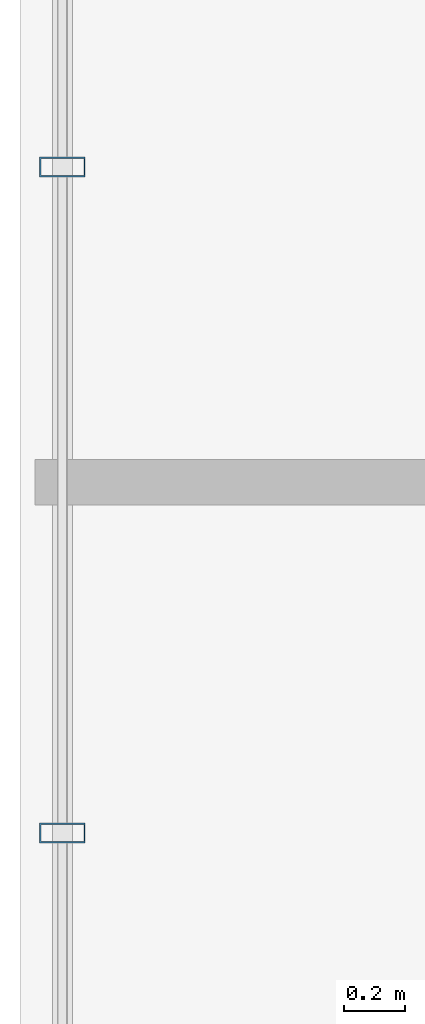
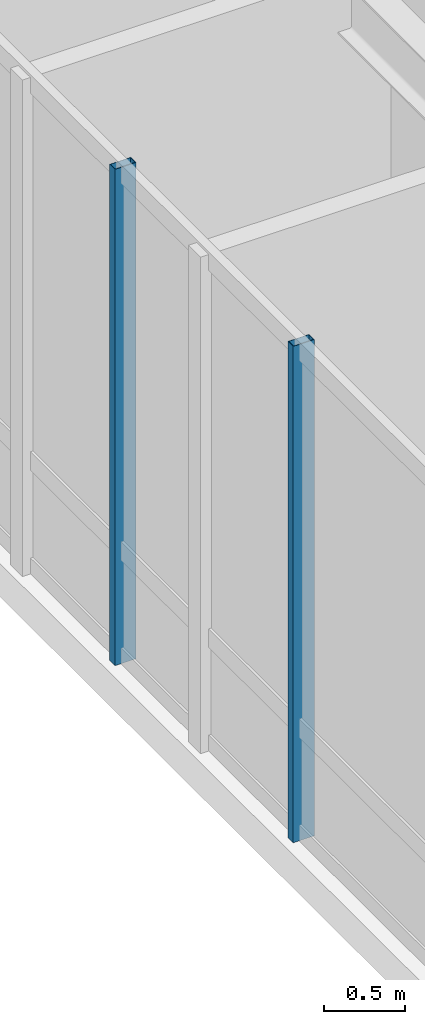
# One storey, part 11 of 29: 2 members, 1 element without a shape of its own.
"""IFC4 building model written with IfcOpenShell, lengths in metres."""

import ifcopenshell
import ifcopenshell.guid

model = None  # the IFC model being written
_history = None  # IfcOwnerHistory: only IFC2X3 demands one
_inside = {}  # id of a spatial element -> (the spatial element, [elements in it])
_under = {}  # id of a project, library or spatial element -> (it, [spatial elements below it])
_declared = {}  # id of a project -> (the project, [libraries it declares])
_typed = {}  # id of a type object -> (the type object, [elements of that type])
_made_of = {}  # id of a material, layer set ... -> (it, [elements and type objects made of it])


def new_model(schema):
    """Start an empty IFC model of exactly this schema.

    Asked for "IFC4X3", IfcOpenShell would pick the latest addendum, in which some entities
    have other attributes; the version numbers below select the first issue.
    IFC2X3 requires an IfcOwnerHistory on every rooted entity: one is made here for all.
    """
    global model, _history
    if schema == "IFC4X3":
        model = ifcopenshell.file(schema_version=(4, 3, 0, 0))
    else:
        model = ifcopenshell.file(schema=schema)
    _inside.clear()
    _under.clear()
    _declared.clear()
    _typed.clear()
    _made_of.clear()
    _history = None
    if model.schema == "IFC2X3":
        org = make("IfcOrganization", Name="unknown")
        user = make(
            "IfcPersonAndOrganization",
            ThePerson=make("IfcPerson", FamilyName="unknown"),
            TheOrganization=org,
        )
        app = make(
            "IfcApplication",
            ApplicationDeveloper=org,
            Version="unknown",
            ApplicationFullName="unknown",
            ApplicationIdentifier="unknown",
        )
        _history = make(
            "IfcOwnerHistory",
            OwningUser=user,
            OwningApplication=app,
            ChangeAction="ADDED",
            CreationDate=0,
        )
    return model


def make(cls, **values):
    """One entity of the class cls with the attributes given. An attribute that is None is left unset."""
    return model.create_entity(
        cls, **{name: value for name, value in values.items() if value is not None}
    )


def rooted(cls, **values):
    """An entity with a GlobalId (a new one), such as an element, a storey or a relation."""
    return make(cls, GlobalId=ifcopenshell.guid.new(), OwnerHistory=_history, **values)


def si_unit(unit_type, name, prefix=None):
    """IfcSIUnit, for example si_unit("LENGTHUNIT", "METRE", prefix="MILLI")."""
    return make("IfcSIUnit", UnitType=unit_type, Prefix=prefix, Name=name)


def assignment(units):
    """IfcUnitAssignment: the units of a project."""
    return None if units is None else make("IfcUnitAssignment", Units=units)


def point(xyz):
    """IfcCartesianPoint."""
    return None if xyz is None else make("IfcCartesianPoint", Coordinates=xyz)


def direction(xyz):
    """IfcDirection."""
    return None if xyz is None else make("IfcDirection", DirectionRatios=xyz)


def frame(location, z_axis=None, x_axis=None):
    """IfcAxis2Placement3D, a coordinate frame: its origin and axes. An axis left out is left unset."""
    return make(
        "IfcAxis2Placement3D",
        Location=point(location),
        Axis=direction(z_axis),
        RefDirection=direction(x_axis),
    )


def frame_2d(location, x_axis=None):
    """IfcAxis2Placement2D, a coordinate frame in the plane: its origin and x axis."""
    return make(
        "IfcAxis2Placement2D", Location=point(location), RefDirection=direction(x_axis)
    )


def origin():
    """The frame at (0, 0, 0) with its axes left unset."""
    return frame((0.0, 0.0, 0.0))


def origin_2d():
    """The frame at (0, 0) in the plane with its x axis left unset."""
    return frame_2d((0.0, 0.0))


def place(relative_to, where):
    """IfcLocalPlacement: puts the frame where relative to a parent placement (None: the world)."""
    return make(
        "IfcLocalPlacement", PlacementRelTo=relative_to, RelativePlacement=where
    )


def context(
    kind, dimensions, precision=None, world=None, true_north=None, identifier=None
):
    """IfcGeometricRepresentationContext, for example the 3D "Model" context."""
    return make(
        "IfcGeometricRepresentationContext",
        ContextIdentifier=identifier,
        ContextType=kind,
        CoordinateSpaceDimension=dimensions,
        Precision=precision,
        WorldCoordinateSystem=world,
        TrueNorth=true_north,
    )


def subcontext(parent, identifier, kind, view, scale=None):
    """IfcGeometricRepresentationSubContext, for example "Body" below "Model"."""
    return make(
        "IfcGeometricRepresentationSubContext",
        ContextIdentifier=identifier,
        ContextType=kind,
        ParentContext=parent,
        TargetScale=scale,
        TargetView=view,
    )


def project(units=None, contexts=None):
    """IfcProject with its units and contexts."""
    return rooted(
        "IfcProject",
        Name="project",
        RepresentationContexts=contexts,
        UnitsInContext=assignment(units),
    )


def spatial(cls, under=None, at=None, **own):
    """A site, building, storey or space (cls), placed at a placement, below another one or the project."""
    s = rooted(cls, ObjectPlacement=at, **own)
    if under is not None:
        _under.setdefault(under.id(), (under, []))[1].append(s)
    return s


def profile(cls, at=None, kind="AREA", **sizes):
    """A parametric profile (cls). Its sizes go by their IFC names, for example OverallWidth=200.0."""
    return make(cls, ProfileType=kind, Position=at, **sizes)


def hollow_rectangle(**sizes):
    """IfcRectangleHollowProfileDef."""
    return profile("IfcRectangleHollowProfileDef", **sizes)


def extrude(swept, where, along, depth):
    """IfcExtrudedAreaSolid: the profile swept, set in the frame where, extruded along a direction by depth."""
    return make(
        "IfcExtrudedAreaSolid",
        SweptArea=swept,
        Position=where,
        ExtrudedDirection=direction(along),
        Depth=depth,
    )


def shape(context_of_items, identifier, shape_type, items):
    """IfcShapeRepresentation: the items that make up one representation, for example the "Body"."""
    return make(
        "IfcShapeRepresentation",
        ContextOfItems=context_of_items,
        RepresentationIdentifier=identifier,
        RepresentationType=shape_type,
        Items=items,
    )


def material(Name=None, Category=None):
    """IfcMaterial."""
    return make("IfcMaterial", Name=Name, Category=Category)


def layer(
    of_material, thickness, ventilated=None, Name=None, Category=None, Priority=None
):
    """IfcMaterialLayer: one layer of a wall or slab, of a material (None: an air gap)."""
    return make(
        "IfcMaterialLayer",
        Material=of_material,
        LayerThickness=thickness,
        IsVentilated=ventilated,
        Name=Name,
        Category=Category,
        Priority=Priority,
    )


def layer_set(layers, Name=None):
    """IfcMaterialLayerSet."""
    return make("IfcMaterialLayerSet", MaterialLayers=layers, LayerSetName=Name)


def material_profile(
    of_material, cross_section, Name=None, Category=None, Priority=None
):
    """IfcMaterialProfile: a cross section and its material."""
    return make(
        "IfcMaterialProfile",
        Name=Name,
        Material=of_material,
        Profile=cross_section,
        Priority=Priority,
        Category=Category,
    )


def profile_set(profiles, Name=None, composite=None):
    """IfcMaterialProfileSet."""
    return make(
        "IfcMaterialProfileSet",
        Name=Name,
        MaterialProfiles=profiles,
        CompositeProfile=composite,
    )


def made_of(thing, what):
    """Note that an element or type object is made of a material, layer set ...; save() writes the relation."""
    if what is not None:
        _made_of.setdefault(what.id(), (what, []))[1].append(thing)
    return thing


def type_object(cls, material=None, **own):
    """A type object (cls), such as IfcWallType, which elements share."""
    return made_of(rooted(cls, **own), material)


def element(
    cls,
    number,
    at=None,
    inside=None,
    cuts=None,
    type_object=None,
    material=None,
    context=None,
    identifier="Body",
    shape_type=None,
    held_by="IfcProductDefinitionShape",
    body=None,
    shapes=None,
    **own,
):
    """One element of the class cls, such as IfcWall. Its Tag is "e" and its number.

    at: its placement. inside: the storey or other place that contains it. cuts: it is an
    opening in that element (IfcRelVoidsElement). A single representation is given by context,
    identifier, shape_type and body (its items); several are given by shapes. held_by: the class
    of the entity that holds the representations. save() writes the other relations.
    """
    e = rooted(cls, Tag="e%d" % number, ObjectPlacement=at, **own)
    if body is not None:
        shapes = [shape(context, identifier, shape_type, body)]
    if shapes is not None:
        e.Representation = make(held_by, Representations=shapes)
    if inside is not None:
        _inside.setdefault(inside.id(), (inside, []))[1].append(e)
    if cuts is not None:
        rooted(
            "IfcRelVoidsElement", RelatingBuildingElement=cuts, RelatedOpeningElement=e
        )
    if type_object is not None:
        _typed.setdefault(type_object.id(), (type_object, []))[1].append(e)
    return made_of(e, material)


def aggregate(whole, parts):
    """IfcRelAggregates: a whole, such as a stair, and the parts it consists of."""
    return rooted("IfcRelAggregates", RelatingObject=whole, RelatedObjects=parts)


def save(model, path):
    """Write the relations noted so far, then the file.

    IfcRelAggregates (storeys below a building ...), IfcRelContainedInSpatialStructure (elements
    in a storey), IfcRelDefinesByType, IfcRelAssociatesMaterial and IfcRelDeclares: one each for
    every whole, place, type object, material and project.
    """
    for whole, parts in _under.values():
        aggregate(whole, parts)
    for where, things in _inside.values():
        rooted(
            "IfcRelContainedInSpatialStructure",
            RelatedElements=things,
            RelatingStructure=where,
        )
    for kind, things in _typed.values():
        rooted("IfcRelDefinesByType", RelatedObjects=things, RelatingType=kind)
    for what, things in _made_of.values():
        rooted("IfcRelAssociatesMaterial", RelatedObjects=things, RelatingMaterial=what)
    for by, libraries in _declared.values():
        rooted("IfcRelDeclares", RelatingContext=by, RelatedDefinitions=libraries)
    model.write(path)


model = new_model("IFC4")

# Units and contexts
model_context = context("Model", 3, precision=1e-05, world=origin(), true_north=direction((0.0, 1.0)))
body_context = subcontext(model_context, "Body", "Model", "MODEL_VIEW")
ifc_project = project(units=[si_unit("LENGTHUNIT", "METRE"), si_unit("AREAUNIT", "SQUARE_METRE"), si_unit("VOLUMEUNIT", "CUBIC_METRE"), si_unit("PLANEANGLEUNIT", "RADIAN"), si_unit("MASSUNIT", "GRAM", prefix="KILO")], contexts=[model_context])

# Site, building, storey
site_placement = place(None, origin())
site = spatial("IfcSite", under=ifc_project, at=site_placement, CompositionType="ELEMENT")
building_placement = place(site_placement, origin())
building = spatial("IfcBuilding", under=site, at=building_placement, Name="Hatsunagi Terrace Concourse", CompositionType="ELEMENT")
storey_placement = place(building_placement, frame((0.0, 0.0, 277.949951171875)))
storey = spatial("IfcBuildingStorey", under=building, at=storey_placement, Name="L73", CompositionType="ELEMENT", Elevation=277.949951171875)

# Curtain wall, members
ifc_material_1 = material(Name="Anodised Aluminium Alloy 6063-T5", Category="aluminium")
ifc_layer = layer(ifc_material_1, 0.199951171875)
ifc_layer_set = layer_set([ifc_layer], Name="CrownWintergarden_CW06")
curtain_wall_type = type_object("IfcCurtainWallType", Name="CrownWintergarden_CW06", PredefinedType="NOTDEFINED", material=ifc_layer_set)
curtain_wall_placement = place(storey_placement, origin())
curtain_wall = element("IfcCurtainWall", 1, at=curtain_wall_placement, inside=storey, type_object=curtain_wall_type, Name="Unitised Curtain Wall CW-06 CW-L73-07", PredefinedType="NOTDEFINED")
ifc_material_2 = material(Name="Anodised Aluminium Alloy 6063-T5", Category="aluminium")
ifc_material_profile = material_profile(ifc_material_2, hollow_rectangle(XDim=0.06494140625, YDim=0.14990234375, WallThickness=0.00390625, at=origin_2d()), Name="ALU-MUL-150x65x4")
ifc_profile_set = profile_set([ifc_material_profile], Name="Anodised Aluminium Alloy 6063-T5")
member_type = type_object("IfcMemberType", Name="CurtainWallMullion_Crown_150x65", PredefinedType="MULLION", material=ifc_profile_set)
member_1_placement = place(storey_placement, frame((20.5400390625, 32.341064453125, 0.0), z_axis=(0.0, 0.0, 1.0), x_axis=(0.0, 1.0, 0.0)))
member_1 = element("IfcMember", 2, at=member_1_placement, type_object=member_type, Name="Curtain Wall Mullion MUL-03", PredefinedType="MULLION", context=body_context, shape_type="SweptSolid", body=[
    extrude(hollow_rectangle(XDim=0.06494140625, YDim=0.14990234375, WallThickness=0.00390625, at=origin_2d()), origin(), (0.0, 0.0, 1.0), 3.739990234375),
])
member_2_placement = place(storey_placement, frame((20.5400390625, 34.541015625, 0.0), z_axis=(0.0, 0.0, 1.0), x_axis=(0.0, 1.0, 0.0)))
member_2 = element("IfcMember", 3, at=member_2_placement, type_object=member_type, Name="Curtain Wall Mullion MUL-03", PredefinedType="MULLION", context=body_context, shape_type="SweptSolid", body=[
    extrude(hollow_rectangle(XDim=0.06494140625, YDim=0.14990234375, WallThickness=0.00390625, at=origin_2d()), origin(), (0.0, 0.0, 1.0), 3.739990234375),
])
aggregate(curtain_wall, [member_1, member_2])

save(model, "model.ifc")
